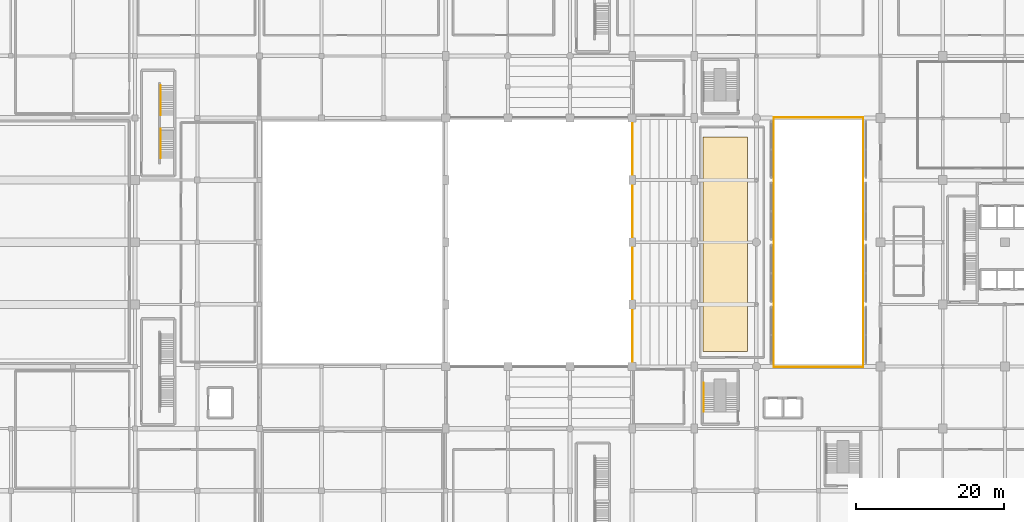
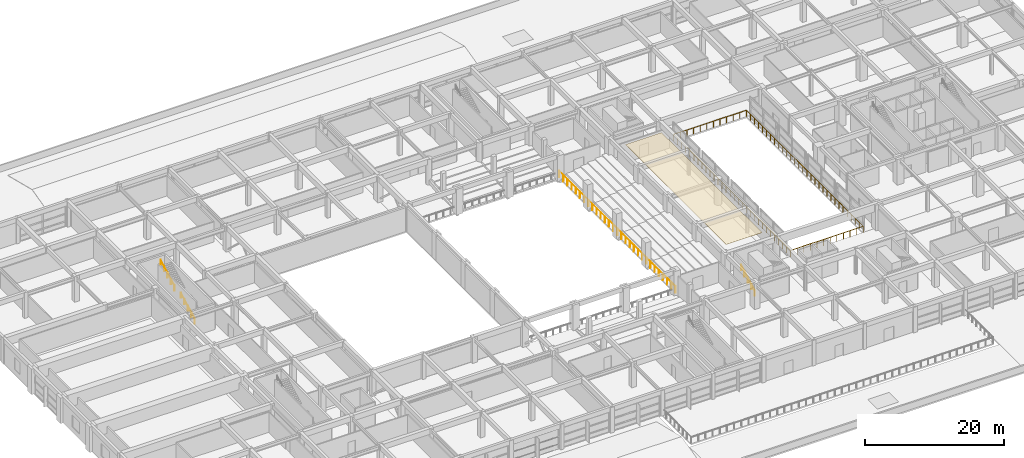
# One storey, part 55 of 60: 5 railings, 1 covering.
"""IFC4 building model written with IfcOpenShell, lengths in metres."""

from ifc_helpers import new_model, si_unit, direction, frame, origin, origin_2d, place, context, subcontext, project, spatial, polyline, circle, outline, extrude, material, layer, layer_set, type_object, element, save


model = new_model("IFC4")

# Units and contexts
model_context = context("Model", 3, precision=1e-05, world=origin(), true_north=direction((0.0, 1.0)))
body_context = subcontext(model_context, "Body", "Model", "MODEL_VIEW")
ifc_project = project(units=[si_unit("LENGTHUNIT", "METRE"), si_unit("AREAUNIT", "SQUARE_METRE"), si_unit("VOLUMEUNIT", "CUBIC_METRE"), si_unit("PLANEANGLEUNIT", "RADIAN"), si_unit("MASSUNIT", "GRAM", prefix="KILO")], contexts=[model_context])

# Site, building, storey
site_placement = place(None, origin())
site = spatial("IfcSite", under=ifc_project, at=site_placement, CompositionType="ELEMENT")
building_placement = place(site_placement, origin())
building = spatial("IfcBuilding", under=site, at=building_placement, Name="Xuanlan Plaza Opera House", CompositionType="ELEMENT")
storey_placement = place(building_placement, frame((0.0, 0.0, 9.89990234375)))
storey = spatial("IfcBuildingStorey", under=building, at=storey_placement, Name="L02", CompositionType="ELEMENT", Elevation=9.89990234375)

# Covering
ifc_material_1 = material(Name="Gypsum Acoustic Board", Category="gypsum")
ifc_layer = layer(ifc_material_1, 0.044921875)
ifc_layer_set = layer_set([ifc_layer], Name="Gypsum Acoustic Board")
covering_type = type_object("IfcCoveringType", Name="INT-COV-CLG-01", PredefinedType="CEILING", material=ifc_layer_set)
covering_placement = place(storey_placement, frame((0.0, 0.0, 4.195068359375)))
element("IfcCovering", 1, at=covering_placement, inside=storey, type_object=covering_type, Name="Acoustic Baffle Ceiling L02", PredefinedType="CEILING", context=body_context, shape_type="SweptSolid", body=[
    extrude(outline(polyline([(102.0, 44.0), (108.0, 44.0), (108.0, 73.0), (102.0, 73.0), (102.0, 44.0)])), origin(), (0.0, 0.0, 1.0), 0.044921875),
])

# Railings
ifc_material_2 = material(Name="Stainless Steel S30408 and Laminated Glass", Category="steel")
railing_type_1 = type_object("IfcRailingType", Name="INT-RL-GR03", PredefinedType="GUARDRAIL", material=ifc_material_2)
railing_1_placement = place(storey_placement, frame((111.550048828125, 41.949951171875, 0.0)))
element("IfcRailing", 2, at=railing_1_placement, inside=storey, type_object=railing_type_1, Name="Atrium Gallery Perimeter Guardrail L02", PredefinedType="GUARDRAIL", context=body_context, shape_type="SweptSolid", body=[
    extrude(circle(Radius=0.02392578125, at=origin_2d()), frame((0.0, 0.0, 1.09619140625), z_axis=(1.0, 0.0, 0.0), x_axis=(0.0, 1.0, 0.0)), (0.0, 0.0, 1.0), 12.099853515625),
    extrude(circle(Radius=0.02392578125, at=origin_2d()), frame((12.099853515625, 0.0, 1.09619140625), z_axis=(0.0, 1.0, 0.0), x_axis=(-1.0, 0.0, 0.0)), (0.0, 0.0, 1.0), 33.699951171875),
    extrude(circle(Radius=0.02392578125, at=origin_2d()), frame((12.099853515625, 33.699951171875, 1.09619140625), z_axis=(-1.0, 0.0, 0.0), x_axis=(0.0, -1.0, 0.0)), (0.0, 0.0, 1.0), 12.099853515625),
    extrude(circle(Radius=0.02392578125, at=origin_2d()), frame((0.0, 33.699951171875, 1.09619140625), z_axis=(0.0, -1.0, 0.0), x_axis=(1.0, 0.0, 0.0)), (0.0, 0.0, 1.0), 33.699951171875),
    extrude(circle(Radius=0.02099609375, at=origin_2d()), origin(), (0.0, 0.0, 1.0), 1.072021484375),
    extrude(circle(Radius=0.02099609375, at=origin_2d()), frame((1.10009765625, 0.0, 0.0)), (0.0, 0.0, 1.0), 1.072021484375),
    extrude(circle(Radius=0.02099609375, at=origin_2d()), frame((2.199951171875, 0.0, 0.0)), (0.0, 0.0, 1.0), 1.072021484375),
    extrude(circle(Radius=0.02099609375, at=origin_2d()), frame((3.300048828125, 0.0, 0.0)), (0.0, 0.0, 1.0), 1.072021484375),
    extrude(circle(Radius=0.02099609375, at=origin_2d()), frame((4.39990234375, 0.0, 0.0)), (0.0, 0.0, 1.0), 1.072021484375),
    extrude(circle(Radius=0.02099609375, at=origin_2d()), frame((5.5, 0.0, 0.0)), (0.0, 0.0, 1.0), 1.072021484375),
    extrude(circle(Radius=0.02099609375, at=origin_2d()), frame((6.599853515625, 0.0, 0.0)), (0.0, 0.0, 1.0), 1.072021484375),
    extrude(circle(Radius=0.02099609375, at=origin_2d()), frame((7.699951171875, 0.0, 0.0)), (0.0, 0.0, 1.0), 1.072021484375),
    extrude(circle(Radius=0.02099609375, at=origin_2d()), frame((8.7998046875, 0.0, 0.0)), (0.0, 0.0, 1.0), 1.072021484375),
    extrude(circle(Radius=0.02099609375, at=origin_2d()), frame((9.89990234375, 0.0, 0.0)), (0.0, 0.0, 1.0), 1.072021484375),
    extrude(circle(Radius=0.02099609375, at=origin_2d()), frame((10.999755859375, 0.0, 0.0)), (0.0, 0.0, 1.0), 1.072021484375),
    extrude(circle(Radius=0.02099609375, at=origin_2d()), frame((12.099853515625, 0.0, 0.0)), (0.0, 0.0, 1.0), 1.072021484375),
    extrude(circle(Radius=0.02099609375, at=origin_2d()), frame((12.099853515625, 1.162109375, 0.0)), (0.0, 0.0, 1.0), 1.072021484375),
    extrude(circle(Radius=0.02099609375, at=origin_2d()), frame((12.099853515625, 2.32421875, 0.0)), (0.0, 0.0, 1.0), 1.072021484375),
    extrude(circle(Radius=0.02099609375, at=origin_2d()), frame((12.099853515625, 3.486083984375, 0.0)), (0.0, 0.0, 1.0), 1.072021484375),
    extrude(circle(Radius=0.02099609375, at=origin_2d()), frame((12.099853515625, 4.648193359375, 0.0)), (0.0, 0.0, 1.0), 1.072021484375),
    extrude(circle(Radius=0.02099609375, at=origin_2d()), frame((12.099853515625, 5.810302734375, 0.0)), (0.0, 0.0, 1.0), 1.072021484375),
    extrude(circle(Radius=0.02099609375, at=origin_2d()), frame((12.099853515625, 6.972412109375, 0.0)), (0.0, 0.0, 1.0), 1.072021484375),
    extrude(circle(Radius=0.02099609375, at=origin_2d()), frame((12.099853515625, 8.134521484375, 0.0)), (0.0, 0.0, 1.0), 1.072021484375),
    extrude(circle(Radius=0.02099609375, at=origin_2d()), frame((12.099853515625, 9.296630859375, 0.0)), (0.0, 0.0, 1.0), 1.072021484375),
    extrude(circle(Radius=0.02099609375, at=origin_2d()), frame((12.099853515625, 10.45849609375, 0.0)), (0.0, 0.0, 1.0), 1.072021484375),
    extrude(circle(Radius=0.02099609375, at=origin_2d()), frame((12.099853515625, 11.62060546875, 0.0)), (0.0, 0.0, 1.0), 1.072021484375),
    extrude(circle(Radius=0.02099609375, at=origin_2d()), frame((12.099853515625, 12.78271484375, 0.0)), (0.0, 0.0, 1.0), 1.072021484375),
    extrude(circle(Radius=0.02099609375, at=origin_2d()), frame((12.099853515625, 13.94482421875, 0.0)), (0.0, 0.0, 1.0), 1.072021484375),
    extrude(circle(Radius=0.02099609375, at=origin_2d()), frame((12.099853515625, 15.10693359375, 0.0)), (0.0, 0.0, 1.0), 1.072021484375),
    extrude(circle(Radius=0.02099609375, at=origin_2d()), frame((12.099853515625, 16.26904296875, 0.0)), (0.0, 0.0, 1.0), 1.072021484375),
    extrude(circle(Radius=0.02099609375, at=origin_2d()), frame((12.099853515625, 17.430908203125, 0.0)), (0.0, 0.0, 1.0), 1.072021484375),
    extrude(circle(Radius=0.02099609375, at=origin_2d()), frame((12.099853515625, 18.593017578125, 0.0)), (0.0, 0.0, 1.0), 1.072021484375),
    extrude(circle(Radius=0.02099609375, at=origin_2d()), frame((12.099853515625, 19.755126953125, 0.0)), (0.0, 0.0, 1.0), 1.072021484375),
    extrude(circle(Radius=0.02099609375, at=origin_2d()), frame((12.099853515625, 20.917236328125, 0.0)), (0.0, 0.0, 1.0), 1.072021484375),
    extrude(circle(Radius=0.02099609375, at=origin_2d()), frame((12.099853515625, 22.079345703125, 0.0)), (0.0, 0.0, 1.0), 1.072021484375),
    extrude(circle(Radius=0.02099609375, at=origin_2d()), frame((12.099853515625, 23.241455078125, 0.0)), (0.0, 0.0, 1.0), 1.072021484375),
    extrude(circle(Radius=0.02099609375, at=origin_2d()), frame((12.099853515625, 24.4033203125, 0.0)), (0.0, 0.0, 1.0), 1.072021484375),
    extrude(circle(Radius=0.02099609375, at=origin_2d()), frame((12.099853515625, 25.5654296875, 0.0)), (0.0, 0.0, 1.0), 1.072021484375),
    extrude(circle(Radius=0.02099609375, at=origin_2d()), frame((12.099853515625, 26.7275390625, 0.0)), (0.0, 0.0, 1.0), 1.072021484375),
    extrude(circle(Radius=0.02099609375, at=origin_2d()), frame((12.099853515625, 27.8896484375, 0.0)), (0.0, 0.0, 1.0), 1.072021484375),
    extrude(circle(Radius=0.02099609375, at=origin_2d()), frame((12.099853515625, 29.0517578125, 0.0)), (0.0, 0.0, 1.0), 1.072021484375),
    extrude(circle(Radius=0.02099609375, at=origin_2d()), frame((12.099853515625, 30.2138671875, 0.0)), (0.0, 0.0, 1.0), 1.072021484375),
    extrude(circle(Radius=0.02099609375, at=origin_2d()), frame((12.099853515625, 31.375732421875, 0.0)), (0.0, 0.0, 1.0), 1.072021484375),
    extrude(circle(Radius=0.02099609375, at=origin_2d()), frame((12.099853515625, 32.537841796875, 0.0)), (0.0, 0.0, 1.0), 1.072021484375),
    extrude(circle(Radius=0.02099609375, at=origin_2d()), frame((12.099853515625, 33.699951171875, 0.0)), (0.0, 0.0, 1.0), 1.072021484375),
    extrude(circle(Radius=0.02099609375, at=origin_2d()), frame((10.999755859375, 33.699951171875, 0.0)), (0.0, 0.0, 1.0), 1.072021484375),
    extrude(circle(Radius=0.02099609375, at=origin_2d()), frame((9.89990234375, 33.699951171875, 0.0)), (0.0, 0.0, 1.0), 1.072021484375),
    extrude(circle(Radius=0.02099609375, at=origin_2d()), frame((8.7998046875, 33.699951171875, 0.0)), (0.0, 0.0, 1.0), 1.072021484375),
    extrude(circle(Radius=0.02099609375, at=origin_2d()), frame((7.699951171875, 33.699951171875, 0.0)), (0.0, 0.0, 1.0), 1.072021484375),
    extrude(circle(Radius=0.02099609375, at=origin_2d()), frame((6.599853515625, 33.699951171875, 0.0)), (0.0, 0.0, 1.0), 1.072021484375),
    extrude(circle(Radius=0.02099609375, at=origin_2d()), frame((5.5, 33.699951171875, 0.0)), (0.0, 0.0, 1.0), 1.072021484375),
    extrude(circle(Radius=0.02099609375, at=origin_2d()), frame((4.39990234375, 33.699951171875, 0.0)), (0.0, 0.0, 1.0), 1.072021484375),
    extrude(circle(Radius=0.02099609375, at=origin_2d()), frame((3.300048828125, 33.699951171875, 0.0)), (0.0, 0.0, 1.0), 1.072021484375),
    extrude(circle(Radius=0.02099609375, at=origin_2d()), frame((2.199951171875, 33.699951171875, 0.0)), (0.0, 0.0, 1.0), 1.072021484375),
    extrude(circle(Radius=0.02099609375, at=origin_2d()), frame((1.10009765625, 33.699951171875, 0.0)), (0.0, 0.0, 1.0), 1.072021484375),
    extrude(circle(Radius=0.02099609375, at=origin_2d()), frame((0.0, 33.699951171875, 0.0)), (0.0, 0.0, 1.0), 1.072021484375),
    extrude(circle(Radius=0.02099609375, at=origin_2d()), frame((0.0, 32.537841796875, 0.0)), (0.0, 0.0, 1.0), 1.072021484375),
    extrude(circle(Radius=0.02099609375, at=origin_2d()), frame((0.0, 31.375732421875, 0.0)), (0.0, 0.0, 1.0), 1.072021484375),
    extrude(circle(Radius=0.02099609375, at=origin_2d()), frame((0.0, 30.2138671875, 0.0)), (0.0, 0.0, 1.0), 1.072021484375),
    extrude(circle(Radius=0.02099609375, at=origin_2d()), frame((0.0, 29.0517578125, 0.0)), (0.0, 0.0, 1.0), 1.072021484375),
    extrude(circle(Radius=0.02099609375, at=origin_2d()), frame((0.0, 27.8896484375, 0.0)), (0.0, 0.0, 1.0), 1.072021484375),
    extrude(circle(Radius=0.02099609375, at=origin_2d()), frame((0.0, 26.7275390625, 0.0)), (0.0, 0.0, 1.0), 1.072021484375),
    extrude(circle(Radius=0.02099609375, at=origin_2d()), frame((0.0, 25.5654296875, 0.0)), (0.0, 0.0, 1.0), 1.072021484375),
    extrude(circle(Radius=0.02099609375, at=origin_2d()), frame((0.0, 24.4033203125, 0.0)), (0.0, 0.0, 1.0), 1.072021484375),
    extrude(circle(Radius=0.02099609375, at=origin_2d()), frame((0.0, 23.241455078125, 0.0)), (0.0, 0.0, 1.0), 1.072021484375),
    extrude(circle(Radius=0.02099609375, at=origin_2d()), frame((0.0, 22.079345703125, 0.0)), (0.0, 0.0, 1.0), 1.072021484375),
    extrude(circle(Radius=0.02099609375, at=origin_2d()), frame((0.0, 20.917236328125, 0.0)), (0.0, 0.0, 1.0), 1.072021484375),
    extrude(circle(Radius=0.02099609375, at=origin_2d()), frame((0.0, 19.755126953125, 0.0)), (0.0, 0.0, 1.0), 1.072021484375),
    extrude(circle(Radius=0.02099609375, at=origin_2d()), frame((0.0, 18.593017578125, 0.0)), (0.0, 0.0, 1.0), 1.072021484375),
    extrude(circle(Radius=0.02099609375, at=origin_2d()), frame((0.0, 17.430908203125, 0.0)), (0.0, 0.0, 1.0), 1.072021484375),
    extrude(circle(Radius=0.02099609375, at=origin_2d()), frame((0.0, 16.26904296875, 0.0)), (0.0, 0.0, 1.0), 1.072021484375),
    extrude(circle(Radius=0.02099609375, at=origin_2d()), frame((0.0, 15.10693359375, 0.0)), (0.0, 0.0, 1.0), 1.072021484375),
    extrude(circle(Radius=0.02099609375, at=origin_2d()), frame((0.0, 13.94482421875, 0.0)), (0.0, 0.0, 1.0), 1.072021484375),
    extrude(circle(Radius=0.02099609375, at=origin_2d()), frame((0.0, 12.78271484375, 0.0)), (0.0, 0.0, 1.0), 1.072021484375),
    extrude(circle(Radius=0.02099609375, at=origin_2d()), frame((0.0, 11.62060546875, 0.0)), (0.0, 0.0, 1.0), 1.072021484375),
    extrude(circle(Radius=0.02099609375, at=origin_2d()), frame((0.0, 10.45849609375, 0.0)), (0.0, 0.0, 1.0), 1.072021484375),
    extrude(circle(Radius=0.02099609375, at=origin_2d()), frame((0.0, 9.296630859375, 0.0)), (0.0, 0.0, 1.0), 1.072021484375),
    extrude(circle(Radius=0.02099609375, at=origin_2d()), frame((0.0, 8.134521484375, 0.0)), (0.0, 0.0, 1.0), 1.072021484375),
    extrude(circle(Radius=0.02099609375, at=origin_2d()), frame((0.0, 6.972412109375, 0.0)), (0.0, 0.0, 1.0), 1.072021484375),
    extrude(circle(Radius=0.02099609375, at=origin_2d()), frame((0.0, 5.810302734375, 0.0)), (0.0, 0.0, 1.0), 1.072021484375),
    extrude(circle(Radius=0.02099609375, at=origin_2d()), frame((0.0, 4.648193359375, 0.0)), (0.0, 0.0, 1.0), 1.072021484375),
    extrude(circle(Radius=0.02099609375, at=origin_2d()), frame((0.0, 3.486083984375, 0.0)), (0.0, 0.0, 1.0), 1.072021484375),
    extrude(circle(Radius=0.02099609375, at=origin_2d()), frame((0.0, 2.32421875, 0.0)), (0.0, 0.0, 1.0), 1.072021484375),
    extrude(circle(Radius=0.02099609375, at=origin_2d()), frame((0.0, 1.162109375, 0.0)), (0.0, 0.0, 1.0), 1.072021484375),
])
railing_2_placement = place(storey_placement, frame((92.449951171875, 42.050048828125, 0.27001953125)))
element("IfcRailing", 3, at=railing_2_placement, inside=storey, type_object=railing_type_1, Name="Auditorium L02 Seating Tier Front Barrier", PredefinedType="GUARDRAIL", context=body_context, shape_type="SweptSolid", body=[
    extrude(circle(Radius=0.02392578125, at=origin_2d()), frame((0.0, 0.0, 1.09619140625), z_axis=(0.0, 1.0, 0.0), x_axis=(-1.0, 0.0, 0.0)), (0.0, 0.0, 1.0), 33.5),
    extrude(circle(Radius=0.02099609375, at=origin_2d()), origin(), (0.0, 0.0, 1.0), 1.072021484375),
    extrude(circle(Radius=0.02099609375, at=origin_2d()), frame((0.0, 1.196533203125, 0.0)), (0.0, 0.0, 1.0), 1.072021484375),
    extrude(circle(Radius=0.02099609375, at=origin_2d()), frame((0.0, 2.392822265625, 0.0)), (0.0, 0.0, 1.0), 1.072021484375),
    extrude(circle(Radius=0.02099609375, at=origin_2d()), frame((0.0, 3.58935546875, 0.0)), (0.0, 0.0, 1.0), 1.072021484375),
    extrude(circle(Radius=0.02099609375, at=origin_2d()), frame((0.0, 4.78564453125, 0.0)), (0.0, 0.0, 1.0), 1.072021484375),
    extrude(circle(Radius=0.02099609375, at=origin_2d()), frame((0.0, 5.982177734375, 0.0)), (0.0, 0.0, 1.0), 1.072021484375),
    extrude(circle(Radius=0.02099609375, at=origin_2d()), frame((0.0, 7.178466796875, 0.0)), (0.0, 0.0, 1.0), 1.072021484375),
    extrude(circle(Radius=0.02099609375, at=origin_2d()), frame((0.0, 8.375, 0.0)), (0.0, 0.0, 1.0), 1.072021484375),
    extrude(circle(Radius=0.02099609375, at=origin_2d()), frame((0.0, 9.571533203125, 0.0)), (0.0, 0.0, 1.0), 1.072021484375),
    extrude(circle(Radius=0.02099609375, at=origin_2d()), frame((0.0, 10.767822265625, 0.0)), (0.0, 0.0, 1.0), 1.072021484375),
    extrude(circle(Radius=0.02099609375, at=origin_2d()), frame((0.0, 11.96435546875, 0.0)), (0.0, 0.0, 1.0), 1.072021484375),
    extrude(circle(Radius=0.02099609375, at=origin_2d()), frame((0.0, 13.16064453125, 0.0)), (0.0, 0.0, 1.0), 1.072021484375),
    extrude(circle(Radius=0.02099609375, at=origin_2d()), frame((0.0, 14.357177734375, 0.0)), (0.0, 0.0, 1.0), 1.072021484375),
    extrude(circle(Radius=0.02099609375, at=origin_2d()), frame((0.0, 15.553466796875, 0.0)), (0.0, 0.0, 1.0), 1.072021484375),
    extrude(circle(Radius=0.02099609375, at=origin_2d()), frame((0.0, 16.75, 0.0)), (0.0, 0.0, 1.0), 1.072021484375),
    extrude(circle(Radius=0.02099609375, at=origin_2d()), frame((0.0, 17.946533203125, 0.0)), (0.0, 0.0, 1.0), 1.072021484375),
    extrude(circle(Radius=0.02099609375, at=origin_2d()), frame((0.0, 19.142822265625, 0.0)), (0.0, 0.0, 1.0), 1.072021484375),
    extrude(circle(Radius=0.02099609375, at=origin_2d()), frame((0.0, 20.33935546875, 0.0)), (0.0, 0.0, 1.0), 1.072021484375),
    extrude(circle(Radius=0.02099609375, at=origin_2d()), frame((0.0, 21.53564453125, 0.0)), (0.0, 0.0, 1.0), 1.072021484375),
    extrude(circle(Radius=0.02099609375, at=origin_2d()), frame((0.0, 22.732177734375, 0.0)), (0.0, 0.0, 1.0), 1.072021484375),
    extrude(circle(Radius=0.02099609375, at=origin_2d()), frame((0.0, 23.928466796875, 0.0)), (0.0, 0.0, 1.0), 1.072021484375),
    extrude(circle(Radius=0.02099609375, at=origin_2d()), frame((0.0, 25.125, 0.0)), (0.0, 0.0, 1.0), 1.072021484375),
    extrude(circle(Radius=0.02099609375, at=origin_2d()), frame((0.0, 26.321533203125, 0.0)), (0.0, 0.0, 1.0), 1.072021484375),
    extrude(circle(Radius=0.02099609375, at=origin_2d()), frame((0.0, 27.517822265625, 0.0)), (0.0, 0.0, 1.0), 1.072021484375),
    extrude(circle(Radius=0.02099609375, at=origin_2d()), frame((0.0, 28.71435546875, 0.0)), (0.0, 0.0, 1.0), 1.072021484375),
    extrude(circle(Radius=0.02099609375, at=origin_2d()), frame((0.0, 29.91064453125, 0.0)), (0.0, 0.0, 1.0), 1.072021484375),
    extrude(circle(Radius=0.02099609375, at=origin_2d()), frame((0.0, 31.107177734375, 0.0)), (0.0, 0.0, 1.0), 1.072021484375),
    extrude(circle(Radius=0.02099609375, at=origin_2d()), frame((0.0, 32.303466796875, 0.0)), (0.0, 0.0, 1.0), 1.072021484375),
    extrude(circle(Radius=0.02099609375, at=origin_2d()), frame((0.0, 33.5, 0.0)), (0.0, 0.0, 1.0), 1.072021484375),
])
ifc_material_3 = material(Name="Stainless Steel S30408", Category="steel")
railing_type_2 = type_object("IfcRailingType", Name="INT-RL-HR01", PredefinedType="HANDRAIL", material=ifc_material_3)
for number, where, name in (
    (4, (28.659912109375, 70.169921875, 0.150146484375), "Stair Handrail ST-P2 L02 Flight 1"),
    (5, (28.659912109375, 76.010009765625, 2.400146484375), "Stair Handrail ST-P2 L02 Flight 2"),
):
    element("IfcRailing", number, at=place(storey_placement, frame(where)), inside=storey, type_object=railing_type_2, Name=name, PredefinedType="HANDRAIL", context=body_context, shape_type="SweptSolid", body=[
        extrude(circle(Radius=0.02392578125, at=origin_2d()), frame((0.0, 0.0, 0.8759765625), z_axis=(0.0, 0.884931142248, 0.465721884261), x_axis=(-1.0, 0.0, 0.0)), (0.0, 0.0, 1.0), 4.5087890625),
        extrude(circle(Radius=0.02099609375, at=origin_2d()), origin(), (0.0, 0.0, 1.0), 0.851806640625),
        extrude(circle(Radius=0.02099609375, at=origin_2d()), frame((0.0, 0.99755859375, 0.52490234375)), (0.0, 0.0, 1.0), 0.851806640625),
        extrude(circle(Radius=0.02099609375, at=origin_2d()), frame((0.0, 1.9951171875, 1.0498046875)), (0.0, 0.0, 1.0), 0.851806640625),
        extrude(circle(Radius=0.02099609375, at=origin_2d()), frame((0.0, 2.992431640625, 1.574951171875)), (0.0, 0.0, 1.0), 0.851806640625),
        extrude(circle(Radius=0.02099609375, at=origin_2d()), frame((0.0, 3.989990234375, 2.099853515625)), (0.0, 0.0, 1.0), 0.851806640625),
    ])
railing_type_3 = type_object("IfcRailingType", Name="INT-RL-HR02", PredefinedType="HANDRAIL", material=ifc_material_3)
railing_3_placement = place(storey_placement, frame((102.080078125, 35.8798828125, 0.150146484375)))
element("IfcRailing", 6, at=railing_3_placement, inside=storey, type_object=railing_type_3, Name="Feature Stair Handrail ST-F1 L02 Flight 1", PredefinedType="HANDRAIL", context=body_context, shape_type="SweptSolid", body=[
    extrude(circle(Radius=0.02392578125, at=origin_2d()), frame((0.0, 0.0, 0.89599609375), z_axis=(0.0, 0.881502004561, 0.472180279083), x_axis=(-1.0, 0.0, 0.0)), (0.0, 0.0, 1.0), 4.447265625),
    extrude(circle(Radius=0.02099609375, at=origin_2d()), origin(), (0.0, 0.0, 1.0), 0.871826171875),
    extrude(circle(Radius=0.02099609375, at=origin_2d()), frame((0.0, 0.97998046875, 0.52490234375)), (0.0, 0.0, 1.0), 0.871826171875),
    extrude(circle(Radius=0.02099609375, at=origin_2d()), frame((0.0, 1.9599609375, 1.0498046875)), (0.0, 0.0, 1.0), 0.871826171875),
    extrude(circle(Radius=0.02099609375, at=origin_2d()), frame((0.0, 2.940185546875, 1.574951171875)), (0.0, 0.0, 1.0), 0.871826171875),
    extrude(circle(Radius=0.02099609375, at=origin_2d()), frame((0.0, 3.920166015625, 2.099853515625)), (0.0, 0.0, 1.0), 0.871826171875),
])

save(model, "model.ifc")
